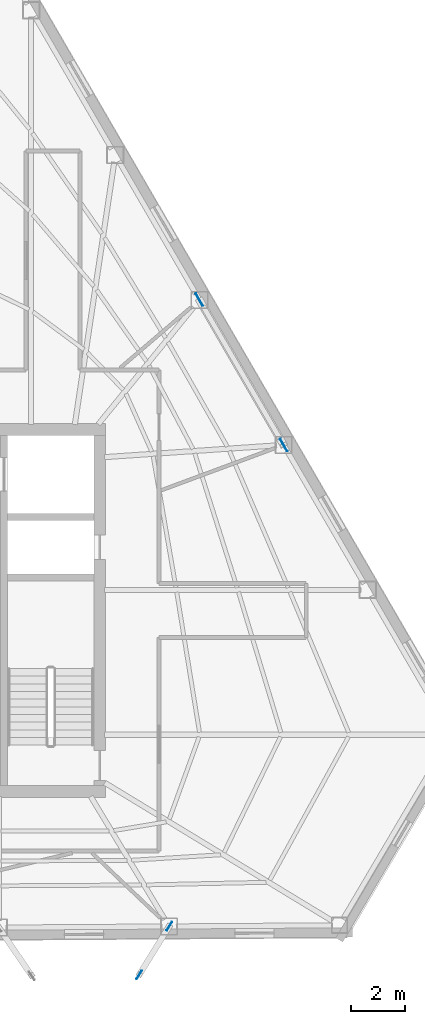
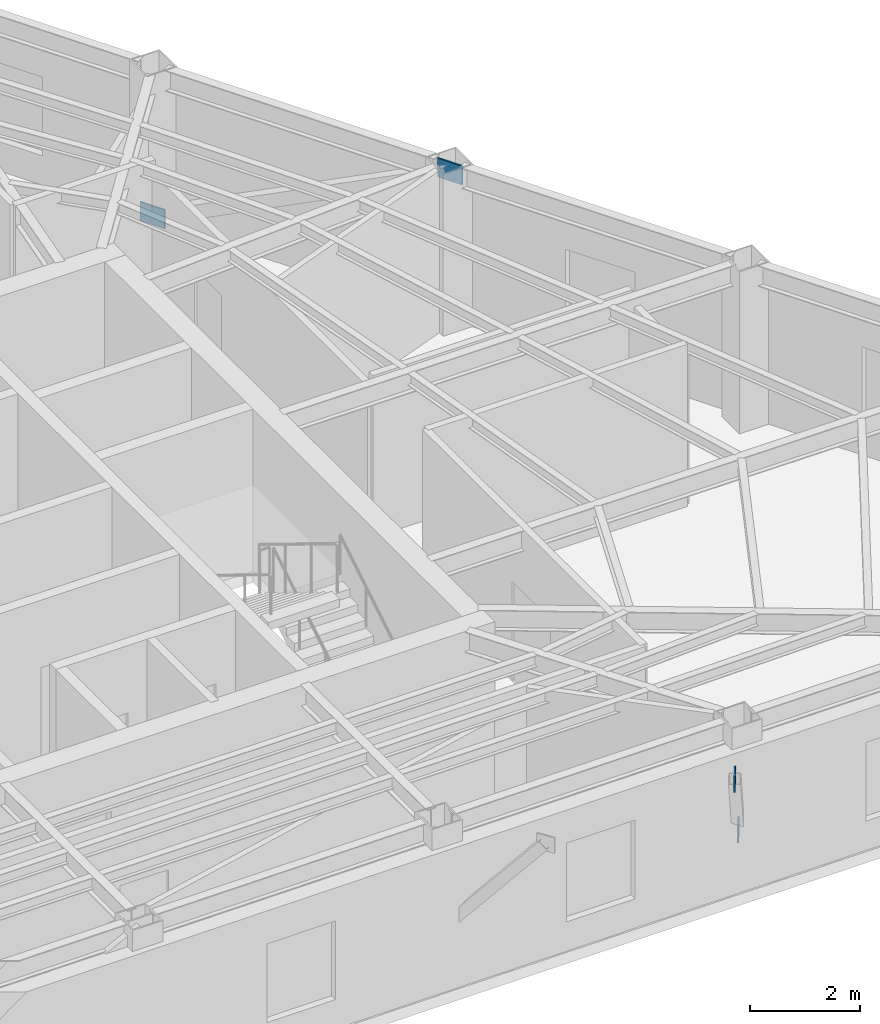
# One storey, part 6 of 10: 4 plates.
"""IFC4 building model written with IfcOpenShell, lengths in metres."""

from ifc_helpers import new_model, si_unit, direction, frame, origin, origin_2d, place, context, subcontext, project, spatial, rectangle, extrude, material, layer, layer_set, type_object, element, save


model = new_model("IFC4")

# Units and contexts
model_context = context("Model", 3, precision=1e-05, world=origin(), true_north=direction((0.0, 1.0)))
body_context = subcontext(model_context, "Body", "Model", "MODEL_VIEW")
ifc_project = project(units=[si_unit("LENGTHUNIT", "METRE"), si_unit("AREAUNIT", "SQUARE_METRE"), si_unit("VOLUMEUNIT", "CUBIC_METRE"), si_unit("PLANEANGLEUNIT", "RADIAN"), si_unit("MASSUNIT", "GRAM", prefix="KILO")], contexts=[model_context])

# Site, building, storey
site_placement = place(None, origin())
site = spatial("IfcSite", under=ifc_project, at=site_placement, CompositionType="ELEMENT")
building_placement = place(site_placement, origin())
building = spatial("IfcBuilding", under=site, at=building_placement, Name="Kavelnor Concourse Tower", CompositionType="ELEMENT")
storey_placement = place(building_placement, frame((0.0, 0.0, 211.199951171875)))
storey = spatial("IfcBuildingStorey", under=building, at=storey_placement, Name="L53", CompositionType="ELEMENT", Elevation=211.199951171875)

# Plates
ifc_material = material(Name="Steel Grade 350", Category="steel")
ifc_layer_1 = layer(ifc_material, 0.028076171875, Name="Steel Grade 350")
ifc_layer_set_1 = layer_set([ifc_layer_1], Name="Steel Grade 350")
plate_type_1 = type_object("IfcPlateType", Name="PL-GUSSET-FOLD", PredefinedType="USERDEFINED", material=ifc_layer_set_1)
for number, where, z_axis, x_axis, name in (
    (1, (50.31982421875, 4.38671875, 0.8798828125), (0.0, 0.0, 1.0), (-0.526065501177, -0.850444053699, 0.0), "L53 Balcony Strut Gusset GP4 2-B End Gusset A"),
    (2, (49.20361328125, 2.581787109375, 3.48486328125), (0.0, 0.0, 1.0), (-0.526065501177, -0.850444053699, 0.0), "L53 Balcony Strut Gusset GP4 2-B End Gusset B"),
):
    element("IfcPlate", number, at=place(storey_placement, frame(where, z_axis=z_axis, x_axis=x_axis)), inside=storey, type_object=plate_type_1, Name=name, ObjectType="GUSSET_PLATE", PredefinedType="USERDEFINED", context=body_context, shape_type="SweptSolid", body=[
        extrude(rectangle(XDim=0.360107421875, YDim=0.028076171875, at=origin_2d()), origin(), (0.0, 0.0, 1.0), 0.340087890625),
    ])
ifc_layer_2 = layer(ifc_material, 0.031982421875, Name="Steel Grade 350")
ifc_layer_set_2 = layer_set([ifc_layer_2], Name="Steel Grade 350")
plate_type_2 = type_object("IfcPlateType", Name="PL-GUSSET-TUBE-Z1", PredefinedType="USERDEFINED", material=ifc_layer_set_2)
for number, where, z_axis, x_axis, name in (
    (3, (51.43359375, 27.630126953125, 0.010009765625), (0.0, 0.0, 1.0), (0.502114604528, -0.864801089222, 0.0), "L53 Tube Brace Gusset GP3 F2-B2 End Gusset A"),
    (4, (54.56787109375, 22.23291015625, 3.16015625), (0.0, 0.0, 1.0), (0.502114604528, -0.864801089222, 0.0), "L53 Tube Brace Gusset GP3 F2-B2 End Gusset B"),
):
    element("IfcPlate", number, at=place(storey_placement, frame(where, z_axis=z_axis, x_axis=x_axis)), inside=storey, type_object=plate_type_2, Name=name, ObjectType="GUSSET_PLATE", PredefinedType="USERDEFINED", context=body_context, shape_type="SweptSolid", body=[
        extrude(rectangle(XDim=0.52001953125, YDim=0.031982421875, at=origin_2d()), origin(), (0.0, 0.0, 1.0), 0.419921875),
    ])

save(model, "model.ifc")
